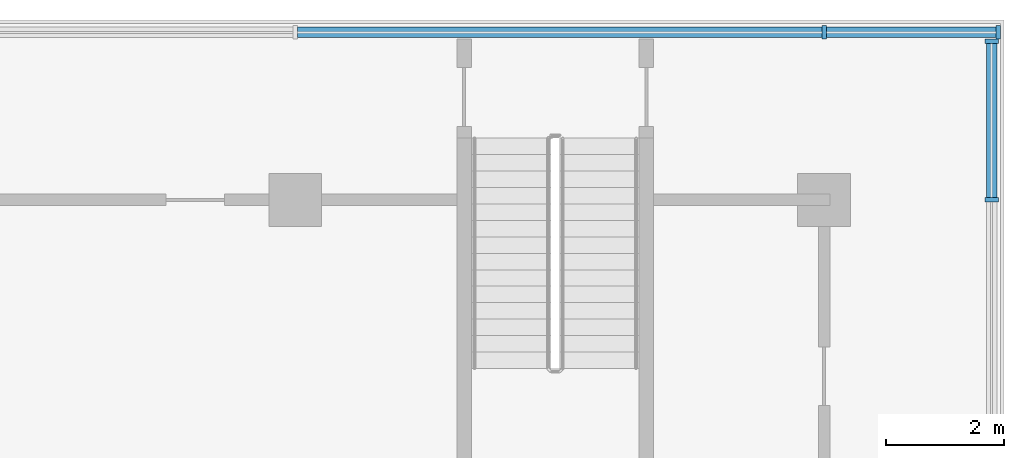
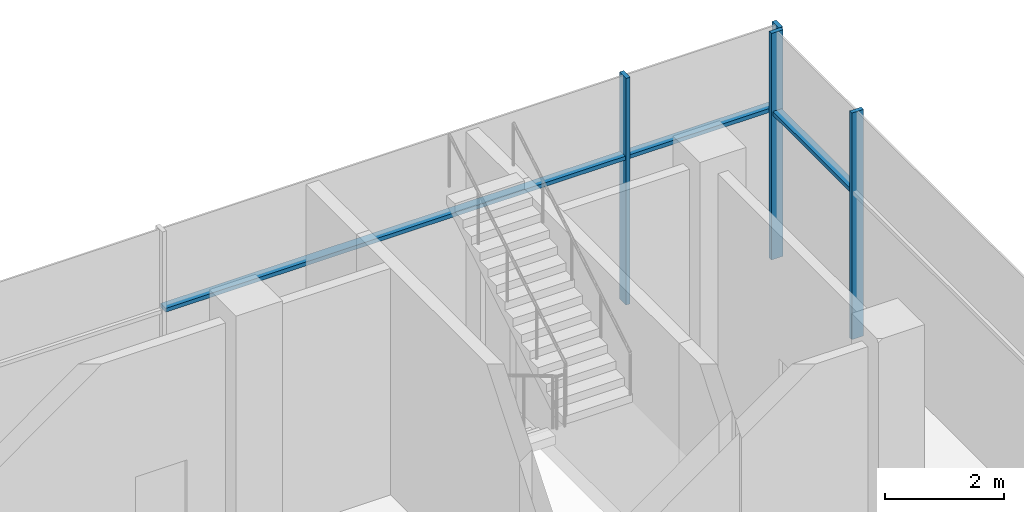
# One storey, part 9 of 22: 7 members, 2 elements without a shape of their own.
"""IFC4 building model written with IfcOpenShell, lengths in metres."""

from ifc_helpers import new_model, si_unit, direction, frame, origin, origin_2d, place, context, subcontext, project, spatial, rectangle, extrude, material, material_profile, profile_set, type_object, element, aggregate, save


model = new_model("IFC4")

# Units and contexts
model_context = context("Model", 3, precision=1e-05, world=origin(), true_north=direction((0.0, 1.0)))
body_context = subcontext(model_context, "Body", "Model", "MODEL_VIEW")
ifc_project = project(units=[si_unit("LENGTHUNIT", "METRE"), si_unit("AREAUNIT", "SQUARE_METRE"), si_unit("VOLUMEUNIT", "CUBIC_METRE"), si_unit("PLANEANGLEUNIT", "RADIAN"), si_unit("MASSUNIT", "GRAM", prefix="KILO")], contexts=[model_context])

# Site, building, storey
site_placement = place(None, origin())
site = spatial("IfcSite", under=ifc_project, at=site_placement, CompositionType="ELEMENT")
building_placement = place(site_placement, origin())
building = spatial("IfcBuilding", under=site, at=building_placement, Name="Finial Court Residences", CompositionType="ELEMENT")
storey_placement = place(building_placement, frame((0.0, 0.0, 18.5)))
storey = spatial("IfcBuildingStorey", under=building, at=storey_placement, Name="L03", CompositionType="ELEMENT", Elevation=18.5)

# Curtain wall, members
ifc_material = material(Name="Bronze anodised aluminium", Category="aluminium")
curtain_wall_type = type_object("IfcCurtainWallType", Name="Podium curtain wall", PredefinedType="NOTDEFINED", material=ifc_material)
curtain_wall_1_placement = place(storey_placement, origin())
curtain_wall_1 = element("IfcCurtainWall", 1, at=curtain_wall_1_placement, inside=storey, type_object=curtain_wall_type, Name="E-L03-CW-N1", PredefinedType="NOTDEFINED")
ifc_material_profile_1 = material_profile(ifc_material, rectangle(XDim=0.22509765625, YDim=0.080078125, at=origin_2d()), Name="CW5 mullion 80 x 225")
ifc_profile_set_1 = profile_set([ifc_material_profile_1], Name="Bronze anodised aluminium")
member_type_1 = type_object("IfcMemberType", Name="CW5 mullion 80 x 225", PredefinedType="MULLION", material=ifc_profile_set_1)
member_1_placement = place(storey_placement, frame((58.5, 34.35009765625, 0.0), z_axis=(0.0, 0.0, 1.0), x_axis=(0.0, 1.0, 0.0)))
member_1 = element("IfcMember", 2, at=member_1_placement, type_object=member_type_1, Name="CW5 mullion 14", PredefinedType="MULLION", context=body_context, shape_type="SweptSolid", body=[
    extrude(rectangle(XDim=0.22509765625, YDim=0.080078125, at=origin_2d()), origin(), (0.0, 0.0, 1.0), 4.64990234375),
])
member_2_placement = place(storey_placement, frame((61.4599609375, 34.35009765625, 0.0), z_axis=(0.0, 0.0, 1.0), x_axis=(0.0, 1.0, 0.0)))
member_2 = element("IfcMember", 3, at=member_2_placement, type_object=member_type_1, Name="CW5 mullion 15", PredefinedType="MULLION", context=body_context, shape_type="SweptSolid", body=[
    extrude(rectangle(XDim=0.22509765625, YDim=0.080078125, at=origin_2d()), origin(), (0.0, 0.0, 1.0), 4.64990234375),
])

curtain_wall_2_placement = place(storey_placement, origin())
curtain_wall_2 = element("IfcCurtainWall", 4, at=curtain_wall_2_placement, inside=storey, type_object=curtain_wall_type, Name="E-L03-CW-E2", PredefinedType="NOTDEFINED")
member_3_placement = place(storey_placement, frame((61.35009765625, 31.5, 0.0), z_axis=(0.0, 0.0, 1.0), x_axis=(-1.0, 0.0, 0.0)))
member_3 = element("IfcMember", 5, at=member_3_placement, type_object=member_type_1, Name="CW5 mullion 11", PredefinedType="MULLION", context=body_context, shape_type="SweptSolid", body=[
    extrude(rectangle(XDim=0.22509765625, YDim=0.080078125, at=origin_2d()), origin(), (0.0, 0.0, 1.0), 4.64990234375),
])
member_4_placement = place(storey_placement, frame((61.35009765625, 34.197509765625, 0.0), z_axis=(0.0, 0.0, 1.0), x_axis=(-1.0, 0.0, 0.0)))
member_4 = element("IfcMember", 6, at=member_4_placement, type_object=member_type_1, Name="CW5 mullion 12", PredefinedType="MULLION", context=body_context, shape_type="SweptSolid", body=[
    extrude(rectangle(XDim=0.22509765625, YDim=0.080078125, at=origin_2d()), origin(), (0.0, 0.0, 1.0), 4.64990234375),
])

# Member
ifc_material_profile_2 = material_profile(ifc_material, rectangle(XDim=0.175048828125, YDim=0.080078125, at=origin_2d()), Name="CW5 transom 80 x 175")
ifc_profile_set_2 = profile_set([ifc_material_profile_2], Name="Bronze anodised aluminium")
member_type_2 = type_object("IfcMemberType", Name="CW5 transom 80 x 175", PredefinedType="USERDEFINED", material=ifc_profile_set_2)
member_5_placement = place(storey_placement, frame((49.5400390625, 34.35009765625, 3.0), z_axis=(1.0, 0.0, 0.0), x_axis=(0.0, 1.0, 0.0)))
member_5 = element("IfcMember", 7, at=member_5_placement, type_object=member_type_2, Name="CW5 transom 13.1", ObjectType="TRANSOM", PredefinedType="USERDEFINED", context=body_context, shape_type="SweptSolid", body=[
    extrude(rectangle(XDim=0.175048828125, YDim=0.080078125, at=origin_2d()), origin(), (0.0, 0.0, 1.0), 8.919921875),
])

member_6_placement = place(storey_placement, frame((58.5400390625, 34.35009765625, 3.0), z_axis=(1.0, 0.0, 0.0), x_axis=(0.0, 1.0, 0.0)))
member_6 = element("IfcMember", 8, at=member_6_placement, type_object=member_type_2, Name="CW5 transom 14.1", ObjectType="TRANSOM", PredefinedType="USERDEFINED", context=body_context, shape_type="SweptSolid", body=[
    extrude(rectangle(XDim=0.175048828125, YDim=0.080078125, at=origin_2d()), origin(), (0.0, 0.0, 1.0), 2.8798828125),
])

aggregate(curtain_wall_1, [member_1, member_2, member_5, member_6])

member_7_placement = place(storey_placement, frame((61.35009765625, 31.5400390625, 3.0), z_axis=(0.0, 1.0, 0.0), x_axis=(-1.0, 0.0, 0.0)))
member_7 = element("IfcMember", 9, at=member_7_placement, type_object=member_type_2, Name="CW5 transom 11.1", ObjectType="TRANSOM", PredefinedType="USERDEFINED", context=body_context, shape_type="SweptSolid", body=[
    extrude(rectangle(XDim=0.175048828125, YDim=0.080078125, at=origin_2d()), origin(), (0.0, 0.0, 1.0), 2.617431640625),
])

aggregate(curtain_wall_2, [member_3, member_4, member_7])

save(model, "model.ifc")
